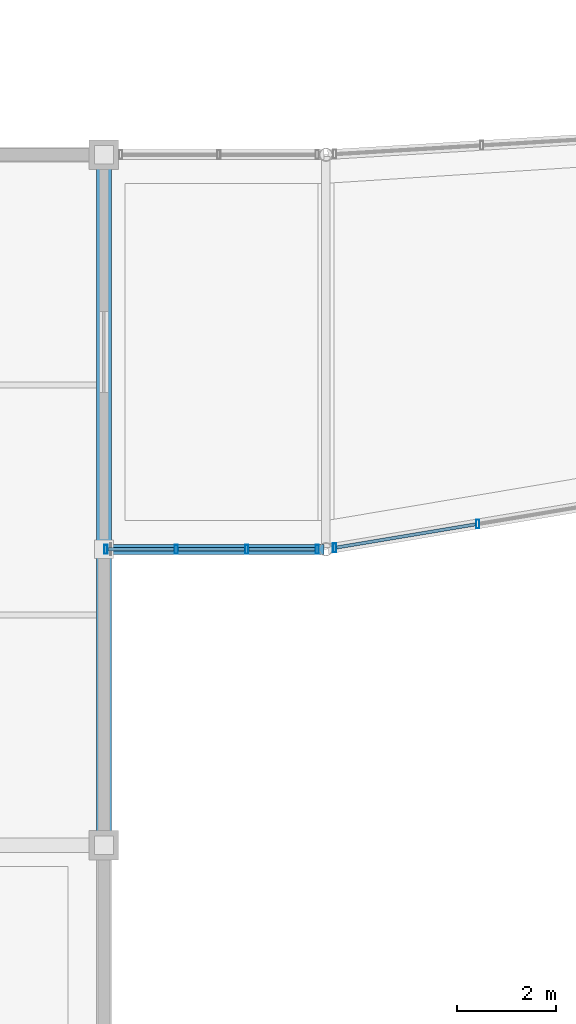
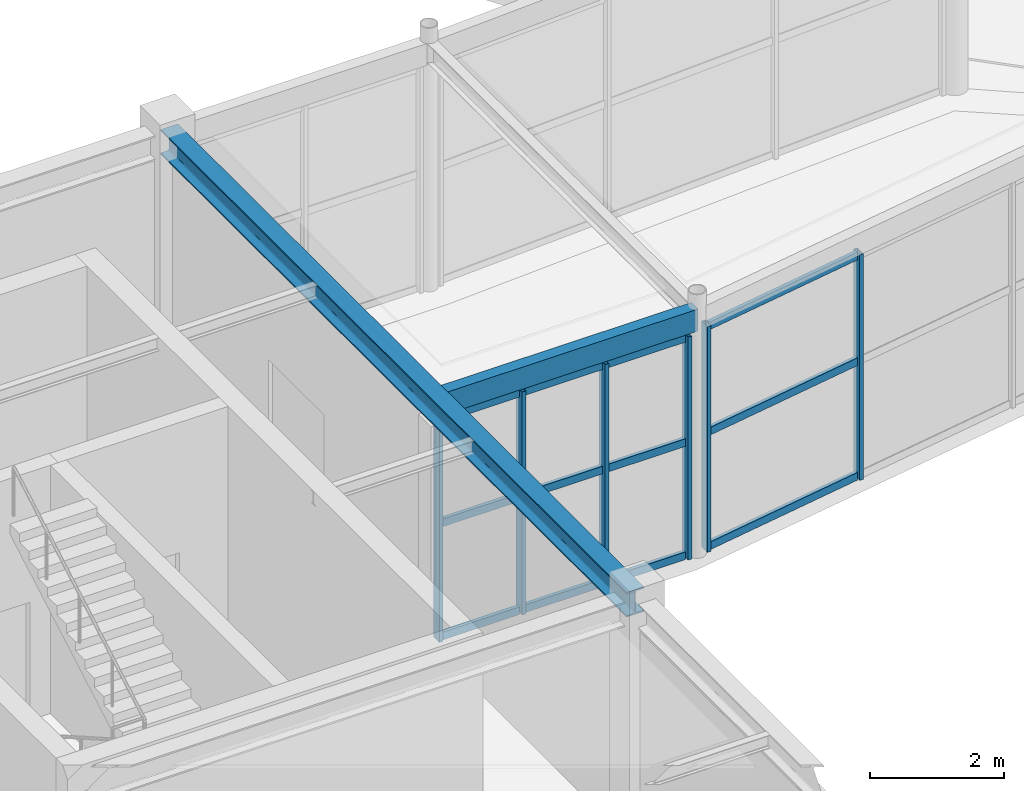
# One storey, part 24 of 108: 18 members, 2 beams, 2 elements without a shape of their own.
"""IFC4 building model written with IfcOpenShell, lengths in metres."""

from ifc_helpers import new_model, si_unit, direction, frame, origin, origin_2d, place, context, subcontext, project, spatial, hollow_rectangle, i_section, extrude, material, material_profile, profile_set, type_object, element, aggregate, save


model = new_model("IFC4")

# Units and contexts
model_context = context("Model", 3, precision=1e-05, world=origin(), true_north=direction((0.0, 1.0)))
body_context = subcontext(model_context, "Body", "Model", "MODEL_VIEW")
ifc_project = project(units=[si_unit("LENGTHUNIT", "METRE"), si_unit("AREAUNIT", "SQUARE_METRE"), si_unit("VOLUMEUNIT", "CUBIC_METRE"), si_unit("PLANEANGLEUNIT", "RADIAN"), si_unit("MASSUNIT", "GRAM", prefix="KILO")], contexts=[model_context])

# Site, building, storey
site_placement = place(None, origin())
site = spatial("IfcSite", under=ifc_project, at=site_placement, CompositionType="ELEMENT")
building_placement = place(site_placement, origin())
building = spatial("IfcBuilding", under=site, at=building_placement, Name="Tarnveldt Headland Concert Hall", CompositionType="ELEMENT")
storey_placement = place(building_placement, origin())
storey = spatial("IfcBuildingStorey", under=building, at=storey_placement, Name="L00", CompositionType="ELEMENT", Elevation=0.0)

# Curtain wall, members
ifc_material_1 = material(Name="Marine-anodised aluminium EN AW-6063-T6", Category="aluminium")
curtain_wall_type = type_object("IfcCurtainWallType", Name="CW-L1", PredefinedType="NOTDEFINED", material=ifc_material_1)
curtain_wall_1_placement = place(storey_placement, origin())
curtain_wall_1 = element("IfcCurtainWall", 1, at=curtain_wall_1_placement, inside=storey, type_object=curtain_wall_type, Name="Curtain wall CW-L00-167", PredefinedType="NOTDEFINED")
ifc_material_profile_1 = material_profile(ifc_material_1, hollow_rectangle(XDim=0.06494140625, YDim=0.179931640625, WallThickness=0.00390625, at=origin_2d()), Name="ALU MULLION 65x180x4", Category="aluminium")
ifc_profile_set_1 = profile_set([ifc_material_profile_1], Name="Marine-anodised aluminium EN AW-6063-T6")
member_type_1 = type_object("IfcMemberType", Name="ML-180", PredefinedType="MULLION", material=ifc_profile_set_1)
member_1_placement = place(storey_placement, frame((44.5400390625, 30.0, 0.0), z_axis=(0.0, 0.0, 1.0), x_axis=(1.0, 0.0, 0.0)))
member_1 = element("IfcMember", 2, at=member_1_placement, type_object=member_type_1, Name="Mullion CW-L00-167-1", PredefinedType="MULLION", context=body_context, shape_type="SweptSolid", body=[
    extrude(hollow_rectangle(XDim=0.06494140625, YDim=0.179931640625, WallThickness=0.00390625, at=origin_2d()), origin(), (0.0, 0.0, 1.0), 4.05810546875),
])
member_2_placement = place(storey_placement, frame((45.9677734375, 30.0, 0.0), z_axis=(0.0, 0.0, 1.0), x_axis=(1.0, 0.0, 0.0)))
member_2 = element("IfcMember", 3, at=member_2_placement, type_object=member_type_1, Name="Mullion CW-L00-167-2", PredefinedType="MULLION", context=body_context, shape_type="SweptSolid", body=[
    extrude(hollow_rectangle(XDim=0.06494140625, YDim=0.179931640625, WallThickness=0.00390625, at=origin_2d()), origin(), (0.0, 0.0, 1.0), 4.05810546875),
])
member_3_placement = place(storey_placement, frame((47.395751953125, 30.0, 0.0), z_axis=(0.0, 0.0, 1.0), x_axis=(1.0, 0.0, 0.0)))
member_3 = element("IfcMember", 4, at=member_3_placement, type_object=member_type_1, Name="Mullion CW-L00-167-3", PredefinedType="MULLION", context=body_context, shape_type="SweptSolid", body=[
    extrude(hollow_rectangle(XDim=0.06494140625, YDim=0.179931640625, WallThickness=0.00390625, at=origin_2d()), origin(), (0.0, 0.0, 1.0), 4.05810546875),
])
member_4_placement = place(storey_placement, frame((48.823486328125, 30.0, 0.0), z_axis=(0.0, 0.0, 1.0), x_axis=(1.0, 0.0, 0.0)))
member_4 = element("IfcMember", 5, at=member_4_placement, type_object=member_type_1, Name="Mullion CW-L00-167-4", PredefinedType="MULLION", context=body_context, shape_type="SweptSolid", body=[
    extrude(hollow_rectangle(XDim=0.06494140625, YDim=0.179931640625, WallThickness=0.00390625, at=origin_2d()), origin(), (0.0, 0.0, 1.0), 4.05810546875),
])

curtain_wall_2_placement = place(storey_placement, origin())
curtain_wall_2 = element("IfcCurtainWall", 6, at=curtain_wall_2_placement, inside=storey, type_object=curtain_wall_type, Name="Curtain wall CW-L00-168", PredefinedType="NOTDEFINED")
member_5_placement = place(storey_placement, frame((49.174072265625, 30.029052734375, 0.0), z_axis=(0.0, 0.0, 1.0), x_axis=(1.0, 0.0, 0.0)))
member_5 = element("IfcMember", 7, at=member_5_placement, type_object=member_type_1, Name="Mullion CW-L00-168-1", PredefinedType="MULLION", context=body_context, shape_type="SweptSolid", body=[
    extrude(hollow_rectangle(XDim=0.06494140625, YDim=0.179931640625, WallThickness=0.00390625, at=origin_2d()), origin(), (0.0, 0.0, 1.0), 4.10791015625),
])
member_6_placement = place(storey_placement, frame((52.07470703125, 30.513427734375, 0.0), z_axis=(0.0, 0.0, 1.0), x_axis=(1.0, 0.0, 0.0)))
member_6 = element("IfcMember", 8, at=member_6_placement, type_object=member_type_1, Name="Mullion CW-L00-168-2", PredefinedType="MULLION", context=body_context, shape_type="SweptSolid", body=[
    extrude(hollow_rectangle(XDim=0.06494140625, YDim=0.179931640625, WallThickness=0.00390625, at=origin_2d()), origin(), (0.0, 0.0, 1.0), 4.10791015625),
])

# Beams
ifc_material_2 = material(Name="Steel S355", Category="steel")
ifc_material_profile_2 = material_profile(ifc_material_2, i_section(OverallWidth=0.300048828125, OverallDepth=0.449951171875, WebThickness=0.013916015625, FlangeThickness=0.02587890625, FilletRadius=0.027099609375, at=origin_2d()), Name="HEB450", Category="steel")
ifc_profile_set_2 = profile_set([ifc_material_profile_2], Name="Steel S355")
beam_type_1 = type_object("IfcBeamType", Name="SB-HEB450", PredefinedType="BEAM", material=ifc_profile_set_2)
beam_1_placement = place(storey_placement, frame((44.5, 24.050048828125, 4.294921875), z_axis=(0.0, 1.0, 0.0), x_axis=(-1.0, 0.0, 0.0)))
element("IfcBeam", 9, at=beam_1_placement, inside=storey, type_object=beam_type_1, Name="Framing beam L00-600", PredefinedType="BEAM", context=body_context, shape_type="SweptSolid", body=[
    extrude(i_section(OverallWidth=0.300048828125, OverallDepth=0.449951171875, WebThickness=0.013916015625, FlangeThickness=0.02587890625, FilletRadius=0.027099609375, at=origin_2d()), origin(), (0.0, 0.0, 1.0), 13.89990234375),
])
ifc_material_profile_3 = material_profile(ifc_material_2, hollow_rectangle(XDim=0.199951171875, YDim=0.39990234375, WallThickness=0.01611328125, at=origin_2d()), Name="RHS 400x200x16", Category="steel")
ifc_profile_set_3 = profile_set([ifc_material_profile_3], Name="Steel S355")
beam_type_2 = type_object("IfcBeamType", Name="SB-RHS400", PredefinedType="BEAM", material=ifc_profile_set_3)
beam_2_placement = place(storey_placement, frame((44.64990234375, 30.0, 4.320068359375), z_axis=(1.0, 0.0, 0.0), x_axis=(0.0, 1.0, 0.0)))
element("IfcBeam", 10, at=beam_2_placement, inside=storey, type_object=beam_type_2, Name="Framing beam L00-601", PredefinedType="BEAM", context=body_context, shape_type="SweptSolid", body=[
    extrude(hollow_rectangle(XDim=0.199951171875, YDim=0.39990234375, WallThickness=0.01611328125, at=origin_2d()), origin(), (0.0, 0.0, 1.0), 4.31005859375),
])

# Member
ifc_material_profile_4 = material_profile(ifc_material_1, hollow_rectangle(XDim=0.06494140625, YDim=0.139892578125, WallThickness=0.00390625, at=origin_2d()), Name="ALU TRANSOM 65x140x4", Category="aluminium")
ifc_profile_set_4 = profile_set([ifc_material_profile_4], Name="Marine-anodised aluminium EN AW-6063-T6")
member_type_2 = type_object("IfcMemberType", Name="TR-140", PredefinedType="MEMBER", material=ifc_profile_set_4)
member_7_placement = place(storey_placement, frame((44.58447265625, 30.0, 0.050048828125), z_axis=(1.0, 0.0, 0.0), x_axis=(0.0, 1.0, 0.0)))
member_7 = element("IfcMember", 11, at=member_7_placement, type_object=member_type_2, Name="Transom CW-L00-167-1-1", PredefinedType="MEMBER", context=body_context, shape_type="SweptSolid", body=[
    extrude(hollow_rectangle(XDim=0.06494140625, YDim=0.139892578125, WallThickness=0.00390625, at=origin_2d()), origin(), (0.0, 0.0, 1.0), 1.3388671875),
])

member_8_placement = place(storey_placement, frame((44.58447265625, 30.0, 2.110107421875), z_axis=(1.0, 0.0, 0.0), x_axis=(0.0, 1.0, 0.0)))
member_8 = element("IfcMember", 12, at=member_8_placement, type_object=member_type_2, Name="Transom CW-L00-167-1-2", PredefinedType="MEMBER", context=body_context, shape_type="SweptSolid", body=[
    extrude(hollow_rectangle(XDim=0.06494140625, YDim=0.139892578125, WallThickness=0.00390625, at=origin_2d()), origin(), (0.0, 0.0, 1.0), 1.3388671875),
])

member_9_placement = place(storey_placement, frame((44.58447265625, 30.0, 4.008056640625), z_axis=(1.0, 0.0, 0.0), x_axis=(0.0, 1.0, 0.0)))
member_9 = element("IfcMember", 13, at=member_9_placement, type_object=member_type_2, Name="Transom CW-L00-167-1-3", PredefinedType="MEMBER", context=body_context, shape_type="SweptSolid", body=[
    extrude(hollow_rectangle(XDim=0.06494140625, YDim=0.139892578125, WallThickness=0.00390625, at=origin_2d()), origin(), (0.0, 0.0, 1.0), 1.3388671875),
])

member_10_placement = place(storey_placement, frame((46.01220703125, 30.0, 0.050048828125), z_axis=(1.0, 0.0, 0.0), x_axis=(0.0, 1.0, 0.0)))
member_10 = element("IfcMember", 14, at=member_10_placement, type_object=member_type_2, Name="Transom CW-L00-167-2-1", PredefinedType="MEMBER", context=body_context, shape_type="SweptSolid", body=[
    extrude(hollow_rectangle(XDim=0.06494140625, YDim=0.139892578125, WallThickness=0.00390625, at=origin_2d()), origin(), (0.0, 0.0, 1.0), 1.339111328125),
])

member_11_placement = place(storey_placement, frame((46.01220703125, 30.0, 2.110107421875), z_axis=(1.0, 0.0, 0.0), x_axis=(0.0, 1.0, 0.0)))
member_11 = element("IfcMember", 15, at=member_11_placement, type_object=member_type_2, Name="Transom CW-L00-167-2-2", PredefinedType="MEMBER", context=body_context, shape_type="SweptSolid", body=[
    extrude(hollow_rectangle(XDim=0.06494140625, YDim=0.139892578125, WallThickness=0.00390625, at=origin_2d()), origin(), (0.0, 0.0, 1.0), 1.339111328125),
])

member_12_placement = place(storey_placement, frame((46.01220703125, 30.0, 4.008056640625), z_axis=(1.0, 0.0, 0.0), x_axis=(0.0, 1.0, 0.0)))
member_12 = element("IfcMember", 16, at=member_12_placement, type_object=member_type_2, Name="Transom CW-L00-167-2-3", PredefinedType="MEMBER", context=body_context, shape_type="SweptSolid", body=[
    extrude(hollow_rectangle(XDim=0.06494140625, YDim=0.139892578125, WallThickness=0.00390625, at=origin_2d()), origin(), (0.0, 0.0, 1.0), 1.339111328125),
])

member_13_placement = place(storey_placement, frame((47.440185546875, 30.0, 0.050048828125), z_axis=(1.0, 0.0, 0.0), x_axis=(0.0, 1.0, 0.0)))
member_13 = element("IfcMember", 17, at=member_13_placement, type_object=member_type_2, Name="Transom CW-L00-167-3-1", PredefinedType="MEMBER", context=body_context, shape_type="SweptSolid", body=[
    extrude(hollow_rectangle(XDim=0.06494140625, YDim=0.139892578125, WallThickness=0.00390625, at=origin_2d()), origin(), (0.0, 0.0, 1.0), 1.3388671875),
])

member_14_placement = place(storey_placement, frame((47.440185546875, 30.0, 2.110107421875), z_axis=(1.0, 0.0, 0.0), x_axis=(0.0, 1.0, 0.0)))
member_14 = element("IfcMember", 18, at=member_14_placement, type_object=member_type_2, Name="Transom CW-L00-167-3-2", PredefinedType="MEMBER", context=body_context, shape_type="SweptSolid", body=[
    extrude(hollow_rectangle(XDim=0.06494140625, YDim=0.139892578125, WallThickness=0.00390625, at=origin_2d()), origin(), (0.0, 0.0, 1.0), 1.3388671875),
])

member_15_placement = place(storey_placement, frame((47.440185546875, 30.0, 4.008056640625), z_axis=(1.0, 0.0, 0.0), x_axis=(0.0, 1.0, 0.0)))
member_15 = element("IfcMember", 19, at=member_15_placement, type_object=member_type_2, Name="Transom CW-L00-167-3-3", PredefinedType="MEMBER", context=body_context, shape_type="SweptSolid", body=[
    extrude(hollow_rectangle(XDim=0.06494140625, YDim=0.139892578125, WallThickness=0.00390625, at=origin_2d()), origin(), (0.0, 0.0, 1.0), 1.3388671875),
])

aggregate(curtain_wall_1, [member_1, member_2, member_3, member_4, member_7, member_8, member_9, member_10, member_11, member_12, member_13, member_14, member_15])

member_16_placement = place(storey_placement, frame((49.218017578125, 30.036376953125, 0.050048828125), z_axis=(0.98634065362, 0.164718289868, 0.0), x_axis=(-0.164718289868, 0.98634065362, 0.0)))
member_16 = element("IfcMember", 20, at=member_16_placement, type_object=member_type_2, Name="Transom CW-L00-168-1-1", PredefinedType="MEMBER", context=body_context, shape_type="SweptSolid", body=[
    extrude(hollow_rectangle(XDim=0.06494140625, YDim=0.139892578125, WallThickness=0.00390625, at=origin_2d()), origin(), (0.0, 0.0, 1.0), 2.851806640625),
])

member_17_placement = place(storey_placement, frame((49.218017578125, 30.036376953125, 2.13623046875), z_axis=(0.98634065362, 0.164718289868, 0.0), x_axis=(-0.164718289868, 0.98634065362, 0.0)))
member_17 = element("IfcMember", 21, at=member_17_placement, type_object=member_type_2, Name="Transom CW-L00-168-1-2", PredefinedType="MEMBER", context=body_context, shape_type="SweptSolid", body=[
    extrude(hollow_rectangle(XDim=0.06494140625, YDim=0.139892578125, WallThickness=0.00390625, at=origin_2d()), origin(), (0.0, 0.0, 1.0), 2.851806640625),
])

member_18_placement = place(storey_placement, frame((49.218017578125, 30.036376953125, 4.05810546875), z_axis=(0.98634065362, 0.164718289868, 0.0), x_axis=(-0.164718289868, 0.98634065362, 0.0)))
member_18 = element("IfcMember", 22, at=member_18_placement, type_object=member_type_2, Name="Transom CW-L00-168-1-3", PredefinedType="MEMBER", context=body_context, shape_type="SweptSolid", body=[
    extrude(hollow_rectangle(XDim=0.06494140625, YDim=0.139892578125, WallThickness=0.00390625, at=origin_2d()), origin(), (0.0, 0.0, 1.0), 2.851806640625),
])

aggregate(curtain_wall_2, [member_5, member_6, member_16, member_17, member_18])

save(model, "model.ifc")
